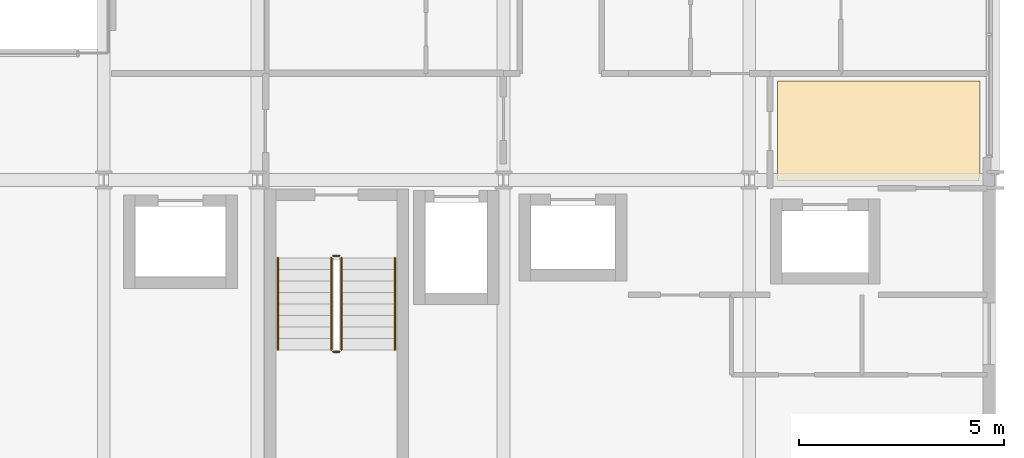
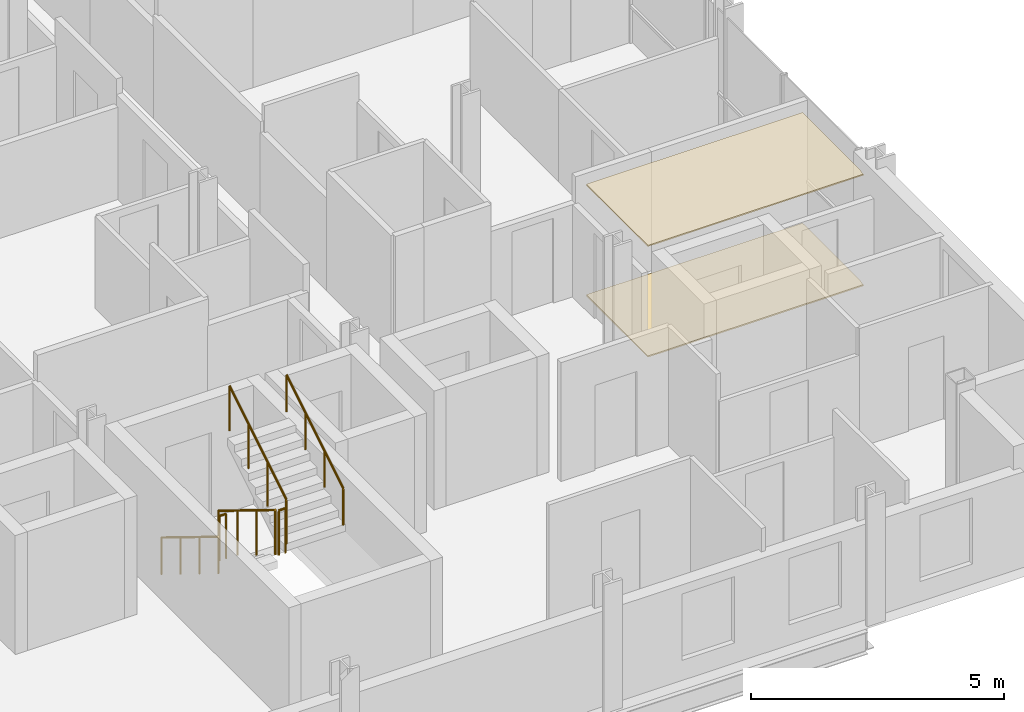
# One storey, part 39 of 40: 6 railings, 2 coverings.
"""IFC4 building model written with IfcOpenShell, lengths in metres."""

from ifc_helpers import new_model, si_unit, direction, frame, origin, origin_2d, place, context, subcontext, project, spatial, polyline, circle, outline, extrude, material, layer, layer_set, type_object, element, save


model = new_model("IFC4")

# Units and contexts
model_context = context("Model", 3, precision=1e-05, world=origin(), true_north=direction((0.0, 1.0)))
body_context = subcontext(model_context, "Body", "Model", "MODEL_VIEW")
ifc_project = project(units=[si_unit("LENGTHUNIT", "METRE"), si_unit("AREAUNIT", "SQUARE_METRE"), si_unit("VOLUMEUNIT", "CUBIC_METRE"), si_unit("PLANEANGLEUNIT", "RADIAN"), si_unit("MASSUNIT", "GRAM", prefix="KILO")], contexts=[model_context])

# Site, building, storey
site_placement = place(None, origin())
site = spatial("IfcSite", under=ifc_project, at=site_placement, CompositionType="ELEMENT")
building_placement = place(site_placement, origin())
building = spatial("IfcBuilding", under=site, at=building_placement, Name="Brevholm Reach", CompositionType="ELEMENT")
storey_placement = place(building_placement, frame((0.0, 0.0, 62.10009765625)))
storey = spatial("IfcBuildingStorey", under=building, at=storey_placement, Name="L17", CompositionType="ELEMENT", Elevation=62.10009765625)

# Coverings
ifc_material_1 = material(Name="Moisture-Resistant Skimmed Gypsum Plasterboard Ceiling", Category="gypsum")
ifc_layer_1 = layer(ifc_material_1, 0.030029296875)
ifc_layer_set_1 = layer_set([ifc_layer_1], Name="Moisture-Resistant Skimmed Gypsum Plasterboard Ceiling")
covering_type_1 = type_object("IfcCoveringType", Name="COV-CLG-GYP", PredefinedType="CEILING", material=ifc_layer_set_1)
covering_1_placement = place(storey_placement, frame((0.0, 0.0, 2.669921875)))
element("IfcCovering", 1, at=covering_1_placement, inside=storey, type_object=covering_type_1, Name="L17 Suspended Ceiling L17-31", PredefinedType="CEILING", context=body_context, shape_type="SweptSolid", body=[
    extrude(outline(polyline([(59.6201171875, 12.419921875), (59.6201171875, 10.123779296875), (59.6171875, 10.1162109375), (59.607666015625, 10.077880859375), (59.601806640625, 10.039306640625), (59.60009765625, 10.0), (59.60107421875, 9.97998046875), (54.68408203125, 9.97998046875), (54.68408203125, 12.419921875), (59.6201171875, 12.419921875)])), origin(), (0.0, 0.0, 1.0), 0.030029296875),
])
ifc_material_2 = material(Name="Honed Portland-Aggregate Resin Terrazzo Flooring", Category="concrete")
ifc_layer_2 = layer(ifc_material_2, 0.031982421875)
ifc_layer_set_2 = layer_set([ifc_layer_2], Name="Honed Portland-Aggregate Resin Terrazzo Flooring")
covering_type_2 = type_object("IfcCoveringType", Name="COV-FLR-TRZ", PredefinedType="FLOORING", material=ifc_layer_set_2)
covering_2_placement = place(storey_placement, origin())
element("IfcCovering", 2, at=covering_2_placement, inside=storey, type_object=covering_type_2, Name="L17 Floor Finish L17-31", PredefinedType="FLOORING", context=body_context, shape_type="SweptSolid", body=[
    extrude(outline(polyline([(59.6201171875, 12.419921875), (59.6201171875, 10.123779296875), (59.6171875, 10.1162109375), (59.607666015625, 10.077880859375), (59.601806640625, 10.039306640625), (59.60009765625, 10.0), (59.60107421875, 9.97998046875), (54.68408203125, 9.97998046875), (54.68408203125, 12.419921875), (59.6201171875, 12.419921875)])), origin(), (0.0, 0.0, 1.0), 0.031982421875),
])

# Railings
ifc_material_3 = material(Name="Brushed Stainless Steel EN 1.4401 Continuous Handrail", Category="steel")
railing_type_1 = type_object("IfcRailingType", Name="RAL-HND-950", PredefinedType="HANDRAIL", material=ifc_material_3)
railing_1_placement = place(storey_placement, frame((42.5, 8.10009765625, 0.172119140625)))
element("IfcRailing", 3, at=railing_1_placement, inside=storey, type_object=railing_type_1, Name="L17 ST-2 stair handrail 1", PredefinedType="HANDRAIL", context=body_context, shape_type="SweptSolid", body=[
    extrude(circle(Radius=0.02392578125, at=origin_2d()), frame((0.0, 0.0, 0.8857421875), z_axis=(0.0, -0.85178898068, 0.523885037382), x_axis=(1.0, 0.0, 0.0)), (0.0, 0.0, 1.0), 2.629638671875),
    extrude(circle(Radius=0.02099609375, at=origin_2d()), origin(), (0.0, 0.0, 1.0), 0.86181640625),
    extrude(circle(Radius=0.02099609375, at=origin_2d()), frame((0.0, -0.74658203125, 0.459228515625)), (0.0, 0.0, 1.0), 0.86181640625),
    extrude(circle(Radius=0.02099609375, at=origin_2d()), frame((0.0, -1.493408203125, 0.91845703125)), (0.0, 0.0, 1.0), 0.86181640625),
    extrude(circle(Radius=0.02099609375, at=origin_2d()), frame((0.0, -2.239990234375, 1.377685546875)), (0.0, 0.0, 1.0), 0.86181640625),
])
railing_2_placement = place(storey_placement, frame((45.35009765625, 5.860107421875, 1.72216796875)))
element("IfcRailing", 4, at=railing_2_placement, inside=storey, type_object=railing_type_1, Name="L17 ST-2 stair handrail 2", PredefinedType="HANDRAIL", context=body_context, shape_type="SweptSolid", body=[
    extrude(circle(Radius=0.02392578125, at=origin_2d()), frame((0.0, 0.0, 0.8857421875), z_axis=(0.0, 0.85178898068, 0.523885037382), x_axis=(-1.0, 0.0, 0.0)), (0.0, 0.0, 1.0), 2.629638671875),
    extrude(circle(Radius=0.02099609375, at=origin_2d()), origin(), (0.0, 0.0, 1.0), 0.86181640625),
    extrude(circle(Radius=0.02099609375, at=origin_2d()), frame((0.0, 0.74658203125, 0.459228515625)), (0.0, 0.0, 1.0), 0.86181640625),
    extrude(circle(Radius=0.02099609375, at=origin_2d()), frame((0.0, 1.493408203125, 0.91845703125)), (0.0, 0.0, 1.0), 0.86181640625),
    extrude(circle(Radius=0.02099609375, at=origin_2d()), frame((0.0, 2.239990234375, 1.377685546875)), (0.0, 0.0, 1.0), 0.86181640625),
])
ifc_material_4 = material(Name="Painted Tubular Galvanised Steel S275JR Stair Guard", Category="steel")
railing_type_2 = type_object("IfcRailingType", Name="RAL-STG-1120", PredefinedType="BALUSTRADE", material=ifc_material_4)
railing_3_placement = place(storey_placement, frame((43.800048828125, 8.10009765625, 0.172119140625)))
element("IfcRailing", 5, at=railing_3_placement, inside=storey, type_object=railing_type_2, Name="L17 ST-2 stair guard 1", PredefinedType="BALUSTRADE", context=body_context, shape_type="SweptSolid", body=[
    extrude(circle(Radius=0.02392578125, at=origin_2d()), frame((0.0, 0.0, 1.076171875), z_axis=(0.0, -0.85178898068, 0.523885037382), x_axis=(1.0, 0.0, 0.0)), (0.0, 0.0, 1.0), 2.629638671875),
    extrude(circle(Radius=0.02099609375, at=origin_2d()), origin(), (0.0, 0.0, 1.0), 1.052001953125),
    extrude(circle(Radius=0.02099609375, at=origin_2d()), frame((0.0, -0.74658203125, 0.459228515625)), (0.0, 0.0, 1.0), 1.052001953125),
    extrude(circle(Radius=0.02099609375, at=origin_2d()), frame((0.0, -1.493408203125, 0.91845703125)), (0.0, 0.0, 1.0), 1.052001953125),
    extrude(circle(Radius=0.02099609375, at=origin_2d()), frame((0.0, -2.239990234375, 1.377685546875)), (0.0, 0.0, 1.0), 1.052001953125),
])
railing_4_placement = place(storey_placement, frame((43.85009765625, 5.81005859375, 1.5498046875)))
element("IfcRailing", 6, at=railing_4_placement, inside=storey, type_object=railing_type_2, Name="L17 ST-2 stair guard 2", PredefinedType="BALUSTRADE", context=body_context, shape_type="SweptSolid", body=[
    extrude(circle(Radius=0.02392578125, at=origin_2d()), frame((0.0, 0.0, 1.076171875), z_axis=(1.0, 0.0, 0.0), x_axis=(0.0, 1.0, 0.0)), (0.0, 0.0, 1.0), 0.14990234375),
    extrude(circle(Radius=0.02099609375, at=origin_2d()), origin(), (0.0, 0.0, 1.0), 1.052001953125),
    extrude(circle(Radius=0.02099609375, at=origin_2d()), frame((0.14990234375, 0.0, 0.0)), (0.0, 0.0, 1.0), 1.052001953125),
])
railing_5_placement = place(storey_placement, frame((44.050048828125, 5.860107421875, 1.72216796875)))
element("IfcRailing", 7, at=railing_5_placement, inside=storey, type_object=railing_type_2, Name="L17 ST-2 stair guard 3", PredefinedType="BALUSTRADE", context=body_context, shape_type="SweptSolid", body=[
    extrude(circle(Radius=0.02392578125, at=origin_2d()), frame((0.0, 0.0, 1.076171875), z_axis=(0.0, 0.85178898068, 0.523885037382), x_axis=(-1.0, 0.0, 0.0)), (0.0, 0.0, 1.0), 2.629638671875),
    extrude(circle(Radius=0.02099609375, at=origin_2d()), origin(), (0.0, 0.0, 1.0), 1.052001953125),
    extrude(circle(Radius=0.02099609375, at=origin_2d()), frame((0.0, 0.74658203125, 0.459228515625)), (0.0, 0.0, 1.0), 1.052001953125),
    extrude(circle(Radius=0.02099609375, at=origin_2d()), frame((0.0, 1.493408203125, 0.91845703125)), (0.0, 0.0, 1.0), 1.052001953125),
    extrude(circle(Radius=0.02099609375, at=origin_2d()), frame((0.0, 2.239990234375, 1.377685546875)), (0.0, 0.0, 1.0), 1.052001953125),
])
railing_6_placement = place(storey_placement, frame((43.85009765625, 8.14990234375, 0.0)))
element("IfcRailing", 8, at=railing_6_placement, inside=storey, type_object=railing_type_2, Name="L17 ST-2 stair guard 4", PredefinedType="BALUSTRADE", context=body_context, shape_type="SweptSolid", body=[
    extrude(circle(Radius=0.02392578125, at=origin_2d()), frame((0.0, 0.0, 1.076171875), z_axis=(1.0, 0.0, 0.0), x_axis=(0.0, 1.0, 0.0)), (0.0, 0.0, 1.0), 0.14990234375),
    extrude(circle(Radius=0.02099609375, at=origin_2d()), origin(), (0.0, 0.0, 1.0), 1.052001953125),
    extrude(circle(Radius=0.02099609375, at=origin_2d()), frame((0.14990234375, 0.0, 0.0)), (0.0, 0.0, 1.0), 1.052001953125),
])

save(model, "model.ifc")
